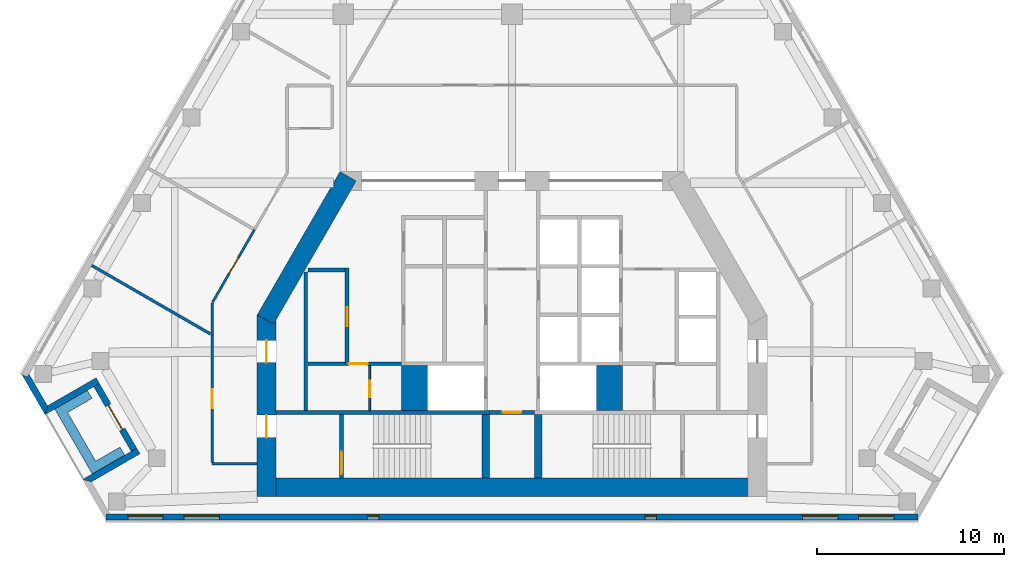
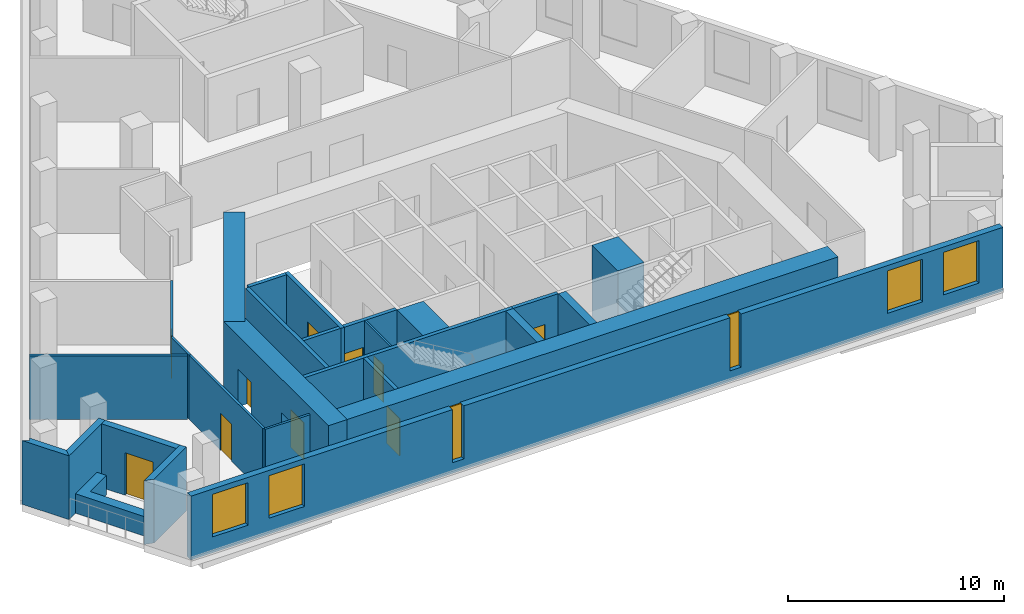
# One storey, part 2 of 7: 27 walls, 10 doors, 6 windows, 16 openings.
"""IFC4 building model written with IfcOpenShell, lengths in metres."""

from ifc_helpers import new_model, si_unit, direction, frame, frame_2d, origin, place, context, subcontext, project, spatial, polyline, rectangle, outline, extrude, material, layer, layer_set, type_object, element, fill, save


model = new_model("IFC4")

# Units and contexts
model_context = context("Model", 3, precision=1e-05, world=origin(), true_north=direction((0.0, 1.0)))
body_context = subcontext(model_context, "Body", "Model", "MODEL_VIEW")
ifc_project = project(units=[si_unit("LENGTHUNIT", "METRE"), si_unit("AREAUNIT", "SQUARE_METRE"), si_unit("VOLUMEUNIT", "CUBIC_METRE"), si_unit("PLANEANGLEUNIT", "RADIAN"), si_unit("MASSUNIT", "GRAM", prefix="KILO")], contexts=[model_context])

# Site, building, storey
site_placement = place(None, origin())
site = spatial("IfcSite", under=ifc_project, at=site_placement, CompositionType="ELEMENT")
building_placement = place(site_placement, origin())
building = spatial("IfcBuilding", under=site, at=building_placement, Name="Fogline Exchange Tower", CompositionType="ELEMENT")
storey_placement = place(building_placement, frame((0.0, 0.0, 255.5)))
storey = spatial("IfcBuildingStorey", under=building, at=storey_placement, Name="L58", CompositionType="ELEMENT", Elevation=255.5)

# Wall, opening, door
ifc_material_1 = material(Name="Blockwork partition", Category="masonry")
ifc_layer_1 = layer(ifc_material_1, 0.10009765625)
ifc_layer_set_1 = layer_set([ifc_layer_1], Name="CW10")
wall_type_1 = type_object("IfcWallType", Name="CW10", PredefinedType="PARTITIONING", material=ifc_layer_set_1)
wall_1_placement = place(storey_placement, frame((-7.60009765625, 5.85009765625, 0.0), z_axis=(0.0, 0.0, 1.0), x_axis=(0.0, 1.0, 0.0)))
wall_1 = element("IfcWall", 1, at=wall_1_placement, inside=storey, type_object=wall_type_1, Name="WC partition", PredefinedType="PARTITIONING", context=body_context, shape_type="SweptSolid", body=[
    extrude(rectangle(XDim=2.39990234375, YDim=0.10009765625, at=frame_2d((1.199951171875, 0.0))), origin(), (0.0, 0.0, 1.0), 3.60009765625),
])
opening_1_placement = place(wall_1_placement, frame((0.699951171875, 0.0, 0.0)))
opening_1 = element("IfcOpeningElement", 2, at=opening_1_placement, cuts=wall_1, Name="Opening T18-C009", PredefinedType="OPENING", context=body_context, shape_type="SweptSolid", body=[
    extrude(rectangle(XDim=0.89990234375, YDim=2.10009765625, at=frame_2d((0.449951171875, 1.050048828125))), frame((0.0, 0.06005859375, 0.0), z_axis=(0.0, -1.0, 0.0), x_axis=(1.0, 0.0, 0.0)), (0.0, 0.0, 1.0), 0.1201171875),
])
ifc_material_2 = material(Name="Steel and timber fire door", Category="steel")
door_type_1 = type_object("IfcDoorType", Name="D-CS1", OperationType="SINGLE_SWING_RIGHT", PredefinedType="DOOR", material=ifc_material_2)
door_1_placement = place(opening_1_placement, frame((0.89990234375, 0.0, 0.0), z_axis=(0.0, 0.0, 1.0), x_axis=(-1.0, 0.0, 0.0)))
door_1 = element("IfcDoor", 3, at=door_1_placement, inside=storey, type_object=door_type_1, Name="Door to Cleaner's Store", OperationType="SINGLE_SWING_RIGHT", OverallHeight=2.10009765625, OverallWidth=0.89990234375, PredefinedType="DOOR", context=body_context, shape_type="SweptSolid", body=[
    extrude(rectangle(XDim=0.89990234375, YDim=2.10009765625, at=frame_2d((0.449951171875, 1.050048828125))), frame((0.0, 0.02490234375, 0.0), z_axis=(0.0, -1.0, 0.0), x_axis=(1.0, 0.0, 0.0)), (0.0, 0.0, 1.0), 0.050048828125),
])
fill(opening_1, door_1)

# Walls
ifc_material_3 = material(Name="Concrete C60", Category="concrete")
ifc_layer_2 = layer(ifc_material_3, 1.39990234375)
ifc_layer_set_2 = layer_set([ifc_layer_2], Name="CW140")
wall_type_2 = type_object("IfcWallType", Name="CW140", PredefinedType="SOLIDWALL", material=ifc_layer_set_2)
for number, where, z_axis, x_axis, name in (
    (4, (-5.199951171875, 5.85009765625, -0.39990234375), (0.0, 0.0, 1.0), (0.0, 1.0, 0.0), "Lift shaft block wall"),
    (5, (5.199951171875, 5.85009765625, -0.39990234375), (0.0, 0.0, 1.0), (0.0, 1.0, 0.0), "Lift shaft block wall"),
):
    element("IfcWall", number, at=place(storey_placement, frame(where, z_axis=z_axis, x_axis=x_axis)), inside=storey, type_object=wall_type_2, Name=name, PredefinedType="SOLIDWALL", context=body_context, shape_type="SweptSolid", body=[
        extrude(rectangle(XDim=2.39990234375, YDim=1.39990234375, at=frame_2d((1.199951171875, 0.0))), origin(), (0.0, 0.0, 1.0), 4.0),
    ])
ifc_material_4 = material(Name="Concrete C40", Category="concrete")
ifc_layer_3 = layer(ifc_material_4, 0.199951171875)
ifc_layer_set_3 = layer_set([ifc_layer_3], Name="CW20")
wall_type_3 = type_object("IfcWallType", Name="CW20", PredefinedType="SOLIDWALL", material=ifc_layer_set_3)
wall_2_placement = place(storey_placement, frame((-11.0, 5.85009765625, 0.0), z_axis=(0.0, 0.0, 1.0), x_axis=(0.0, 1.0, 0.0)))
element("IfcWall", 6, at=wall_2_placement, inside=storey, type_object=wall_type_3, Name="Service room wall", PredefinedType="SOLIDWALL", context=body_context, shape_type="SweptSolid", body=[
    extrude(rectangle(XDim=7.39990234375, YDim=0.199951171875, at=frame_2d((3.699951171875, 0.0))), origin(), (0.0, 0.0, 1.0), 3.60009765625),
])

# Wall, opening, door
wall_3_placement = place(storey_placement, frame((-8.699951171875, 8.35009765625, 0.0), z_axis=(0.0, 0.0, 1.0), x_axis=(1.0, 0.0, 0.0)))
wall_3 = element("IfcWall", 7, at=wall_3_placement, inside=storey, type_object=wall_type_3, Name="WC wall", PredefinedType="SOLIDWALL", context=body_context, shape_type="SweptSolid", body=[
    extrude(rectangle(XDim=2.800048828125, YDim=0.199951171875, at=frame_2d((1.39990234375, 0.0))), origin(), (0.0, 0.0, 1.0), 3.60009765625),
])
opening_2_placement = place(wall_3_placement, origin())
opening_2 = element("IfcOpeningElement", 8, at=opening_2_placement, cuts=wall_3, Name="Opening T18-C008", PredefinedType="OPENING", context=body_context, shape_type="SweptSolid", body=[
    extrude(rectangle(XDim=1.0, YDim=2.10009765625, at=frame_2d((0.5, 1.050048828125))), frame((0.0, 0.10986328125, 0.0), z_axis=(0.0, -1.0, 0.0), x_axis=(1.0, 0.0, 0.0)), (0.0, 0.0, 1.0), 0.219970703125),
])
door_type_2 = type_object("IfcDoorType", Name="D-WC1", OperationType="SINGLE_SWING_LEFT", PredefinedType="DOOR", material=ifc_material_2)
door_2_placement = place(opening_2_placement, frame((1.0, 0.0, 0.0), z_axis=(0.0, 0.0, 1.0), x_axis=(-1.0, 0.0, 0.0)))
door_2 = element("IfcDoor", 9, at=door_2_placement, inside=storey, type_object=door_type_2, Name="Door to Men's WC", OperationType="SINGLE_SWING_LEFT", OverallHeight=2.10009765625, OverallWidth=1.0, PredefinedType="DOOR", context=body_context, shape_type="SweptSolid", body=[
    extrude(rectangle(XDim=1.0, YDim=2.10009765625, at=frame_2d((0.5, 1.050048828125))), frame((0.0, 0.02490234375, 0.0), z_axis=(0.0, -1.0, 0.0), x_axis=(1.0, 0.0, 0.0)), (0.0, 0.0, 1.0), 0.050048828125),
])
fill(opening_2, door_2)

# Wall
ifc_layer_4 = layer(ifc_material_4, 0.199951171875)
ifc_layer_set_4 = layer_set([ifc_layer_4], Name="CW20R")
wall_type_4 = type_object("IfcWallType", Name="CW20R", PredefinedType="SOLIDWALL", material=ifc_layer_set_4)
wall_4_placement = place(storey_placement, frame((-12.60009765625, 5.75, -0.39990234375), z_axis=(0.0, 0.0, 1.0), x_axis=(1.0, 0.0, 0.0)))
element("IfcWall", 10, at=wall_4_placement, inside=storey, type_object=wall_type_4, Name="Stair enclosure wall", PredefinedType="SOLIDWALL", context=body_context, shape_type="SweptSolid", body=[
    extrude(rectangle(XDim=11.400146484375, YDim=0.199951171875, at=frame_2d((5.7001953125, 0.0))), origin(), (0.0, 0.0, 1.0), 4.0),
])

# Wall, opening, door
wall_5_placement = place(storey_placement, frame((-1.199951171875, 5.75, -0.39990234375), z_axis=(0.0, 0.0, 1.0), x_axis=(1.0, 0.0, 0.0)))
wall_5 = element("IfcWall", 11, at=wall_5_placement, inside=storey, type_object=wall_type_4, Name="Stair enclosure wall", PredefinedType="SOLIDWALL", context=body_context, shape_type="SweptSolid", body=[
    extrude(rectangle(XDim=2.39990234375, YDim=0.199951171875, at=frame_2d((1.199951171875, 0.0))), origin(), (0.0, 0.0, 1.0), 4.0),
])
opening_3_placement = place(wall_5_placement, frame((0.699951171875, 0.0, 0.39990234375)))
opening_3 = element("IfcOpeningElement", 12, at=opening_3_placement, cuts=wall_5, Name="Opening T18-C007", PredefinedType="OPENING", context=body_context, shape_type="SweptSolid", body=[
    extrude(rectangle(XDim=1.0, YDim=2.10009765625, at=frame_2d((0.5, 1.050048828125))), frame((0.0, 0.10986328125, 0.0), z_axis=(0.0, -1.0, 0.0), x_axis=(1.0, 0.0, 0.0)), (0.0, 0.0, 1.0), 0.219970703125),
])
door_type_3 = type_object("IfcDoorType", Name="D-RM1", OperationType="SINGLE_SWING_LEFT", PredefinedType="DOOR", material=ifc_material_2)
door_3_placement = place(opening_3_placement, frame((1.0, 0.0, 0.0), z_axis=(0.0, 0.0, 1.0), x_axis=(-1.0, 0.0, 0.0)))
door_3 = element("IfcDoor", 13, at=door_3_placement, inside=storey, type_object=door_type_3, Name="Door to Cable Store", OperationType="SINGLE_SWING_RIGHT", OverallHeight=2.10009765625, OverallWidth=1.0, PredefinedType="DOOR", context=body_context, shape_type="SweptSolid", body=[
    extrude(rectangle(XDim=1.0, YDim=2.10009765625, at=frame_2d((0.5, 1.050048828125))), frame((0.0, 0.02490234375, 0.0), z_axis=(0.0, -1.0, 0.0), x_axis=(1.0, 0.0, 0.0)), (0.0, 0.0, 1.0), 0.050048828125),
])
fill(opening_3, door_3)

wall_6_placement = place(storey_placement, frame((-9.10009765625, 2.25, -0.39990234375), z_axis=(0.0, 0.0, 1.0), x_axis=(0.0, 1.0, 0.0)))
wall_6 = element("IfcWall", 14, at=wall_6_placement, inside=storey, type_object=wall_type_4, Name="Stair enclosure wall", PredefinedType="SOLIDWALL", context=body_context, shape_type="SweptSolid", body=[
    extrude(rectangle(XDim=3.39990234375, YDim=0.199951171875, at=frame_2d((1.699951171875, 0.0))), origin(), (0.0, 0.0, 1.0), 4.0),
])
opening_4_placement = place(wall_6_placement, frame((0.199951171875, 0.0, 0.39990234375)))
opening_4 = element("IfcOpeningElement", 15, at=opening_4_placement, cuts=wall_6, Name="Opening T18-C011", PredefinedType="OPENING", context=body_context, shape_type="SweptSolid", body=[
    extrude(rectangle(XDim=1.199951171875, YDim=2.10009765625, at=frame_2d((0.60009765625, 1.050048828125))), frame((0.0, 0.10986328125, 0.0), z_axis=(0.0, -1.0, 0.0), x_axis=(1.0, 0.0, 0.0)), (0.0, 0.0, 1.0), 0.219970703125),
])
door_type_4 = type_object("IfcDoorType", Name="D-ST1", OperationType="SINGLE_SWING_LEFT", PredefinedType="DOOR", material=ifc_material_2)
door_4_placement = place(opening_4_placement, frame((1.199951171875, 0.0, 0.0), z_axis=(0.0, 0.0, 1.0), x_axis=(-1.0, 0.0, 0.0)))
door_4 = element("IfcDoor", 16, at=door_4_placement, inside=storey, type_object=door_type_4, Name="Stair door ST1", OperationType="SINGLE_SWING_RIGHT", OverallHeight=2.10009765625, OverallWidth=1.199951171875, PredefinedType="DOOR", context=body_context, shape_type="SweptSolid", body=[
    extrude(rectangle(XDim=1.199951171875, YDim=2.10009765625, at=frame_2d((0.60009765625, 1.050048828125))), frame((0.0, 0.02490234375, 0.0), z_axis=(0.0, -1.0, 0.0), x_axis=(1.0, 0.0, 0.0)), (0.0, 0.0, 1.0), 0.050048828125),
])
fill(opening_4, door_4)

ifc_layer_5 = layer(ifc_material_4, 0.199951171875)
ifc_layer_set_5 = layer_set([ifc_layer_5], Name="CW20S")
wall_type_5 = type_object("IfcWallType", Name="CW20S", PredefinedType="SOLIDWALL", material=ifc_layer_set_5)
wall_7_placement = place(storey_placement, frame((-8.800048828125, 8.25, -0.39990234375), z_axis=(0.0, 0.0, 1.0), x_axis=(0.0, 1.0, 0.0)))
wall_7 = element("IfcWall", 17, at=wall_7_placement, inside=storey, type_object=wall_type_5, Name="Lift shaft wall", PredefinedType="SOLIDWALL", context=body_context, shape_type="SweptSolid", body=[
    extrude(rectangle(XDim=5.199951171875, YDim=0.199951171875, at=frame_2d((2.60009765625, 0.0))), origin(), (0.0, 0.0, 1.0), 4.0),
])
opening_5_placement = place(wall_7_placement, frame((2.10009765625, 0.0, 0.39990234375)))
opening_5 = element("IfcOpeningElement", 18, at=opening_5_placement, cuts=wall_7, Name="Opening T18-C001", PredefinedType="OPENING", context=body_context, shape_type="SweptSolid", body=[
    extrude(rectangle(XDim=1.0, YDim=2.10009765625, at=frame_2d((0.5, 1.050048828125))), frame((0.0, 0.10986328125, 0.0), z_axis=(0.0, -1.0, 0.0), x_axis=(1.0, 0.0, 0.0)), (0.0, 0.0, 1.0), 0.219970703125),
])
door_5_placement = place(opening_5_placement, origin())
door_5 = element("IfcDoor", 19, at=door_5_placement, inside=storey, type_object=door_type_3, Name="Door to Storage Room", OperationType="SINGLE_SWING_RIGHT", OverallHeight=2.10009765625, OverallWidth=1.0, PredefinedType="DOOR", context=body_context, shape_type="SweptSolid", body=[
    extrude(rectangle(XDim=1.0, YDim=2.10009765625, at=frame_2d((0.5, 1.050048828125))), frame((0.0, 0.02490234375, 0.0), z_axis=(0.0, -1.0, 0.0), x_axis=(1.0, 0.0, 0.0)), (0.0, 0.0, 1.0), 0.050048828125),
])
fill(opening_5, door_5)

# Walls
for number, where, z_axis, x_axis, name in (
    (20, (-10.89990234375, 8.35009765625, -0.39990234375), (0.0, 0.0, 1.0), (1.0, 0.0, 0.0), "Lift shaft wall"),
    (21, (-10.89990234375, 13.35009765625, -0.39990234375), (0.0, 0.0, 1.0), (1.0, 0.0, 0.0), "Lift shaft wall"),
):
    element("IfcWall", number, at=place(storey_placement, frame(where, z_axis=z_axis, x_axis=x_axis)), inside=storey, type_object=wall_type_5, Name=name, PredefinedType="SOLIDWALL", context=body_context, shape_type="SweptSolid", body=[
        extrude(rectangle(XDim=2.0, YDim=0.199951171875, at=frame_2d((1.0, 0.0))), origin(), (0.0, 0.0, 1.0), 4.0),
    ])
ifc_layer_6 = layer(ifc_material_4, 0.39990234375)
ifc_layer_set_6 = layer_set([ifc_layer_6], Name="CW40R")
wall_type_6 = type_object("IfcWallType", Name="CW40R", PredefinedType="SOLIDWALL", material=ifc_layer_set_6)
for number, where, z_axis, x_axis, name in (
    (22, (-1.39990234375, 2.25, -0.39990234375), (0.0, 0.0, 1.0), (0.0, 1.0, 0.0), "Stair and lift shaft wall"),
    (23, (1.39990234375, 2.25, -0.39990234375), (0.0, 0.0, 1.0), (0.0, 1.0, 0.0), "Stair and lift shaft wall"),
):
    element("IfcWall", number, at=place(storey_placement, frame(where, z_axis=z_axis, x_axis=x_axis)), inside=storey, type_object=wall_type_6, Name=name, PredefinedType="SOLIDWALL", context=body_context, shape_type="SweptSolid", body=[
        extrude(rectangle(XDim=3.39990234375, YDim=0.39990234375, at=frame_2d((1.699951171875, 0.0))), origin(), (0.0, 0.0, 1.0), 4.0),
    ])
ifc_material_5 = material(Name="Brick masonry", Category="masonry")
ifc_layer_7 = layer(ifc_material_5, 0.340087890625)
ifc_layer_set_7 = layer_set([ifc_layer_7], Name="FW1")
wall_type_7 = type_object("IfcWallType", Name="FW1", PredefinedType="SOLIDWALL", material=ifc_layer_set_7)
wall_8_placement = place(storey_placement, origin())
element("IfcWall", 24, at=wall_8_placement, inside=storey, type_object=wall_type_7, Name="Brick wall L58 SW-c1", PredefinedType="SOLIDWALL", context=body_context, shape_type="SweptSolid", body=[
    extrude(outline(polyline([(-24.91943359375, 5.6279296875), (-26.17041015625, 7.794921875), (-26.169921875, 7.79541015625), (-25.875244140625, 7.625), (-25.77685546875, 7.79541015625), (-24.794189453125, 6.09375), (-24.9189453125, 5.6279296875), (-24.91943359375, 5.6279296875)])), origin(), (0.0, 0.0, 1.0), 3.60009765625),
])
wall_9_placement = place(storey_placement, origin())
element("IfcWall", 25, at=wall_9_placement, inside=storey, type_object=wall_type_7, Name="Brick wall L58 SW-s1", PredefinedType="SOLIDWALL", context=body_context, shape_type="SweptSolid", body=[
    extrude(outline(polyline([(-22.196533203125, 7.594482421875), (-22.026123046875, 7.298828125), (-22.321044921875, 7.128662109375), (-24.919921875, 5.628173828125), (-24.920166015625, 5.62841796875), (-24.79541015625, 6.093994140625), (-22.196533203125, 7.594482421875)])), origin(), (0.0, 0.0, 1.0), 3.60009765625),
])

# Wall, opening, door
wall_10_placement = place(storey_placement, frame((-22.174072265625, 7.214111328125, 0.0), z_axis=(0.0, 0.0, 1.0), x_axis=(0.49999894854, -0.866026010844, 0.0)))
wall_10 = element("IfcWall", 26, at=wall_10_placement, inside=storey, type_object=wall_type_7, Name="Brick wall L58 SW-bk", PredefinedType="SOLIDWALL", context=body_context, shape_type="SweptSolid", body=[
    extrude(rectangle(XDim=4.0, YDim=0.340087890625, at=frame_2d((2.0, 0.0))), origin(), (0.0, 0.0, 1.0), 3.60009765625),
])
opening_6_placement = place(wall_10_placement, frame((1.25, 0.0, 0.0)))
opening_6 = element("IfcOpeningElement", 27, at=opening_6_placement, cuts=wall_10, Name="Opening T18-E021", PredefinedType="OPENING", context=body_context, shape_type="SweptSolid", body=[
    extrude(rectangle(XDim=1.5, YDim=2.39990234375, at=frame_2d((0.75, 1.199951171875))), frame((0.0, 0.18017578125, 0.0), z_axis=(0.0, -1.0, 0.0), x_axis=(1.0, 0.0, 0.0)), (0.0, 0.0, 1.0), 0.360107421875),
])
ifc_material_6 = material(Name="Aluminium and glass", Category="aluminium")
door_type_5 = type_object("IfcDoorType", Name="ED4", OperationType="SINGLE_SWING_LEFT", PredefinedType="DOOR", material=ifc_material_6)
door_6_placement = place(opening_6_placement, frame((1.5, 0.0, 0.0), z_axis=(0.0, 0.0, 1.0), x_axis=(-1.0, 0.0, 0.0)))
door_6 = element("IfcDoor", 28, at=door_6_placement, inside=storey, type_object=door_type_5, Name="Balcony door L58 SW", OperationType="DOUBLE_DOOR_SINGLE_SWING", OverallHeight=2.39990234375, OverallWidth=1.5, PredefinedType="DOOR", context=body_context, shape_type="SweptSolid", body=[
    extrude(rectangle(XDim=1.5, YDim=2.39990234375, at=frame_2d((0.75, 1.199951171875))), frame((0.0, 0.02490234375, 0.0), z_axis=(0.0, -1.0, 0.0), x_axis=(1.0, 0.0, 0.0)), (0.0, 0.0, 1.0), 0.050048828125),
])
fill(opening_6, door_6)

# Wall
wall_11_placement = place(storey_placement, origin())
element("IfcWall", 29, at=wall_11_placement, inside=storey, type_object=wall_type_7, Name="Brick wall L58 SW-s2", PredefinedType="SOLIDWALL", context=body_context, shape_type="SweptSolid", body=[
    extrude(outline(polyline([(-22.920654296875, 2.1650390625), (-20.321533203125, 3.66552734375), (-20.026611328125, 3.8359375), (-19.85595703125, 3.540283203125), (-22.454833984375, 2.0400390625), (-22.92041015625, 2.164794921875), (-22.920654296875, 2.1650390625)])), origin(), (0.0, 0.0, 1.0), 3.60009765625),
])

# Wall, openings, windows
wall_12_placement = place(storey_placement, frame((-21.66943359375, 0.169921875, 0.0), z_axis=(0.0, 0.0, 1.0), x_axis=(1.0, 0.0, 0.0)))
wall_12 = element("IfcWall", 30, at=wall_12_placement, inside=storey, type_object=wall_type_7, Name="Brick wall L58 S", PredefinedType="SOLIDWALL", context=body_context, shape_type="SweptSolid", body=[
    extrude(rectangle(XDim=43.3388671875, YDim=0.340087890625, at=frame_2d((21.66943359375, 0.0))), origin(), (0.0, 0.0, 1.0), 3.60009765625),
])
opening_7_placement = place(wall_12_placement, frame((1.16943359375, 0.0, 0.89990234375)))
opening_7 = element("IfcOpeningElement", 31, at=opening_7_placement, cuts=wall_12, Name="Opening W1", PredefinedType="OPENING", context=body_context, shape_type="SweptSolid", body=[
    extrude(rectangle(XDim=1.885009765625, YDim=2.39990234375, at=frame_2d((0.9423828125, 1.199951171875))), frame((0.0, 0.18017578125, 0.0), z_axis=(0.0, -1.0, 0.0), x_axis=(1.0, 0.0, 0.0)), (0.0, 0.0, 1.0), 0.360107421875),
])
opening_8_placement = place(wall_12_placement, frame((4.16943359375, 0.0, 0.89990234375)))
opening_8 = element("IfcOpeningElement", 32, at=opening_8_placement, cuts=wall_12, Name="Opening W1", PredefinedType="OPENING", context=body_context, shape_type="SweptSolid", body=[
    extrude(rectangle(XDim=1.885009765625, YDim=2.39990234375, at=frame_2d((0.9423828125, 1.199951171875))), frame((0.0, 0.18017578125, 0.0), z_axis=(0.0, -1.0, 0.0), x_axis=(1.0, 0.0, 0.0)), (0.0, 0.0, 1.0), 0.360107421875),
])
opening_9_placement = place(wall_12_placement, frame((37.16943359375, 0.0, 0.89990234375)))
opening_9 = element("IfcOpeningElement", 33, at=opening_9_placement, cuts=wall_12, Name="Opening W1", PredefinedType="OPENING", context=body_context, shape_type="SweptSolid", body=[
    extrude(rectangle(XDim=1.885009765625, YDim=2.39990234375, at=frame_2d((0.9423828125, 1.199951171875))), frame((0.0, 0.18017578125, 0.0), z_axis=(0.0, -1.0, 0.0), x_axis=(1.0, 0.0, 0.0)), (0.0, 0.0, 1.0), 0.360107421875),
])
opening_10_placement = place(wall_12_placement, frame((40.16943359375, 0.0, 0.89990234375)))
opening_10 = element("IfcOpeningElement", 34, at=opening_10_placement, cuts=wall_12, Name="Opening W1", PredefinedType="OPENING", context=body_context, shape_type="SweptSolid", body=[
    extrude(rectangle(XDim=1.885009765625, YDim=2.39990234375, at=frame_2d((0.9423828125, 1.199951171875))), frame((0.0, 0.18017578125, 0.0), z_axis=(0.0, -1.0, 0.0), x_axis=(1.0, 0.0, 0.0)), (0.0, 0.0, 1.0), 0.360107421875),
])
opening_11_placement = place(wall_12_placement, frame((13.96923828125, 0.0, 0.60009765625)))
opening_11 = element("IfcOpeningElement", 35, at=opening_11_placement, cuts=wall_12, Name="Opening W5", PredefinedType="OPENING", context=body_context, shape_type="SweptSolid", body=[
    extrude(rectangle(XDim=0.60009765625, YDim=3.0, at=frame_2d((0.300048828125, 1.5))), frame((0.0, 0.18017578125, 0.0), z_axis=(0.0, -1.0, 0.0), x_axis=(1.0, 0.0, 0.0)), (0.0, 0.0, 1.0), 0.360107421875),
])
opening_12_placement = place(wall_12_placement, frame((28.769287109375, 0.0, 0.60009765625)))
opening_12 = element("IfcOpeningElement", 36, at=opening_12_placement, cuts=wall_12, Name="Opening W5", PredefinedType="OPENING", context=body_context, shape_type="SweptSolid", body=[
    extrude(rectangle(XDim=0.60009765625, YDim=3.0, at=frame_2d((0.300048828125, 1.5))), frame((0.0, 0.18017578125, 0.0), z_axis=(0.0, -1.0, 0.0), x_axis=(1.0, 0.0, 0.0)), (0.0, 0.0, 1.0), 0.360107421875),
])
window_type_1 = type_object("IfcWindowType", Name="W1", PartitioningType="SINGLE_PANEL", PredefinedType="WINDOW", material=ifc_material_6)
window_1_placement = place(opening_7_placement, origin())
window_1 = element("IfcWindow", 37, at=window_1_placement, inside=storey, type_object=window_type_1, Name="W1 W1", OverallHeight=2.39990234375, OverallWidth=1.885009765625, PartitioningType="SINGLE_PANEL", PredefinedType="WINDOW", context=body_context, shape_type="SweptSolid", body=[
    extrude(rectangle(XDim=1.885009765625, YDim=2.39990234375, at=frame_2d((0.9423828125, 1.199951171875))), frame((0.0, 0.110107421875, 0.0), z_axis=(0.0, -1.0, 0.0), x_axis=(1.0, 0.0, 0.0)), (0.0, 0.0, 1.0), 0.06005859375),
])
fill(opening_7, window_1)
window_2_placement = place(opening_8_placement, origin())
window_2 = element("IfcWindow", 38, at=window_2_placement, inside=storey, type_object=window_type_1, Name="W1 W1", OverallHeight=2.39990234375, OverallWidth=1.885009765625, PartitioningType="SINGLE_PANEL", PredefinedType="WINDOW", context=body_context, shape_type="SweptSolid", body=[
    extrude(rectangle(XDim=1.885009765625, YDim=2.39990234375, at=frame_2d((0.9423828125, 1.199951171875))), frame((0.0, 0.110107421875, 0.0), z_axis=(0.0, -1.0, 0.0), x_axis=(1.0, 0.0, 0.0)), (0.0, 0.0, 1.0), 0.06005859375),
])
fill(opening_8, window_2)
window_3_placement = place(opening_9_placement, origin())
window_3 = element("IfcWindow", 39, at=window_3_placement, inside=storey, type_object=window_type_1, Name="W1 W1", OverallHeight=2.39990234375, OverallWidth=1.885009765625, PartitioningType="SINGLE_PANEL", PredefinedType="WINDOW", context=body_context, shape_type="SweptSolid", body=[
    extrude(rectangle(XDim=1.885009765625, YDim=2.39990234375, at=frame_2d((0.9423828125, 1.199951171875))), frame((0.0, 0.110107421875, 0.0), z_axis=(0.0, -1.0, 0.0), x_axis=(1.0, 0.0, 0.0)), (0.0, 0.0, 1.0), 0.06005859375),
])
fill(opening_9, window_3)
window_4_placement = place(opening_10_placement, origin())
window_4 = element("IfcWindow", 40, at=window_4_placement, inside=storey, type_object=window_type_1, Name="W1 W1", OverallHeight=2.39990234375, OverallWidth=1.885009765625, PartitioningType="SINGLE_PANEL", PredefinedType="WINDOW", context=body_context, shape_type="SweptSolid", body=[
    extrude(rectangle(XDim=1.885009765625, YDim=2.39990234375, at=frame_2d((0.9423828125, 1.199951171875))), frame((0.0, 0.110107421875, 0.0), z_axis=(0.0, -1.0, 0.0), x_axis=(1.0, 0.0, 0.0)), (0.0, 0.0, 1.0), 0.06005859375),
])
fill(opening_10, window_4)
window_type_2 = type_object("IfcWindowType", Name="W5", PartitioningType="SINGLE_PANEL", PredefinedType="WINDOW", material=ifc_material_6)
window_5_placement = place(opening_11_placement, origin())
window_5 = element("IfcWindow", 41, at=window_5_placement, inside=storey, type_object=window_type_2, Name="W5 W5", OverallHeight=3.0, OverallWidth=0.60009765625, PartitioningType="SINGLE_PANEL", PredefinedType="WINDOW", context=body_context, shape_type="SweptSolid", body=[
    extrude(rectangle(XDim=0.60009765625, YDim=3.0, at=frame_2d((0.300048828125, 1.5))), frame((0.0, 0.110107421875, 0.0), z_axis=(0.0, -1.0, 0.0), x_axis=(1.0, 0.0, 0.0)), (0.0, 0.0, 1.0), 0.06005859375),
])
fill(opening_11, window_5)
window_6_placement = place(opening_12_placement, origin())
window_6 = element("IfcWindow", 42, at=window_6_placement, inside=storey, type_object=window_type_2, Name="W5 W5", OverallHeight=3.0, OverallWidth=0.60009765625, PartitioningType="SINGLE_PANEL", PredefinedType="WINDOW", context=body_context, shape_type="SweptSolid", body=[
    extrude(rectangle(XDim=0.60009765625, YDim=3.0, at=frame_2d((0.300048828125, 1.5))), frame((0.0, 0.110107421875, 0.0), z_axis=(0.0, -1.0, 0.0), x_axis=(1.0, 0.0, 0.0)), (0.0, 0.0, 1.0), 0.06005859375),
])
fill(opening_12, window_6)

# Walls
ifc_material_7 = material(Name="Concrete C30", Category="concrete")
ifc_layer_8 = layer(ifc_material_7, 0.199951171875)
ifc_layer_set_8 = layer_set([ifc_layer_8], Name="PL1")
wall_type_8 = type_object("IfcWallType", Name="PL1", PredefinedType="USERDEFINED", material=ifc_layer_set_8)
wall_13_placement = place(storey_placement, origin())
element("IfcWall", 43, at=wall_13_placement, inside=storey, type_object=wall_type_8, Name="PLANTER balcony L58 SW", ObjectType="PLANTER", PredefinedType="USERDEFINED", context=body_context, shape_type="SweptSolid", body=[
    extrude(outline(polyline([(-20.917724609375, 3.898193359375), (-22.216796875, 3.148193359375), (-23.716796875, 5.74609375), (-22.417724609375, 6.49609375), (-22.667724609375, 6.92919921875), (-24.399658203125, 5.92919921875), (-24.149658203125, 5.49609375), (-22.399658203125, 2.465087890625), (-21.966796875, 2.715087890625), (-21.966796875, 2.715087890625), (-20.667724609375, 3.465087890625), (-20.917724609375, 3.898193359375)])), origin(), (0.0, 0.0, 1.0), 1.10009765625),
])
ifc_material_8 = material(Name="Plasterboard corridor partition with mineral wool, 2 layers each side")
ifc_layer_9 = layer(ifc_material_8, 0.125)
ifc_layer_set_9 = layer_set([ifc_layer_9], Name="PW2")
wall_type_9 = type_object("IfcWallType", Name="PW2", PredefinedType="PARTITIONING", material=ifc_layer_set_9)
wall_14_placement = place(storey_placement, frame((-16.0, 9.88134765625, 0.0), z_axis=(0.0, 0.0, 1.0), x_axis=(0.0, 1.0, 0.0)))
element("IfcWall", 44, at=wall_14_placement, inside=storey, type_object=wall_type_9, Name="wall-L58-W013", PredefinedType="PARTITIONING", context=body_context, shape_type="SweptSolid", body=[
    extrude(rectangle(XDim=1.70703125, YDim=0.125, at=frame_2d((0.853515625, 0.0))), origin(), (0.0, 0.0, 1.0), 3.60009765625),
])

# Wall, opening, door
wall_15_placement = place(storey_placement, frame((-15.984619140625, 11.615234375, 0.0), z_axis=(0.0, 0.0, 1.0), x_axis=(0.499992261645, 0.86602987148, 0.0)))
wall_15 = element("IfcWall", 45, at=wall_15_placement, inside=storey, type_object=wall_type_9, Name="wall-L58-W014", PredefinedType="PARTITIONING", context=body_context, shape_type="SweptSolid", body=[
    extrude(rectangle(XDim=4.49072265625, YDim=0.125, at=frame_2d((2.245361328125, 0.0))), origin(), (0.0, 0.0, 1.0), 3.60009765625),
])
opening_13_placement = place(wall_15_placement, frame((1.745361328125, 0.0, 0.0)))
opening_13 = element("IfcOpeningElement", 46, at=opening_13_placement, cuts=wall_15, Name="Opening T18-D006", PredefinedType="OPENING", context=body_context, shape_type="SweptSolid", body=[
    extrude(rectangle(XDim=1.0, YDim=2.10009765625, at=frame_2d((0.5, 1.050048828125))), frame((0.0, 0.072509765625, 0.0), z_axis=(0.0, -1.0, 0.0), x_axis=(1.0, 0.0, 0.0)), (0.0, 0.0, 1.0), 0.14501953125),
])
ifc_material_9 = material(Name="Fire-rated timber door leaf with steel frame", Category="steel")
door_type_6 = type_object("IfcDoorType", Name="D3", OperationType="SINGLE_SWING_LEFT", PredefinedType="DOOR", material=ifc_material_9)
door_7_placement = place(opening_13_placement, origin())
door_7 = element("IfcDoor", 47, at=door_7_placement, inside=storey, type_object=door_type_6, Name="door-L58-D006", OperationType="SINGLE_SWING_LEFT", OverallHeight=2.10009765625, OverallWidth=1.0, PredefinedType="DOOR", context=body_context, shape_type="SweptSolid", body=[
    extrude(rectangle(XDim=1.0, YDim=2.10009765625, at=frame_2d((0.5, 1.050048828125))), frame((0.0, 0.02490234375, 0.0), z_axis=(0.0, -1.0, 0.0), x_axis=(1.0, 0.0, 0.0)), (0.0, 0.0, 1.0), 0.050048828125),
])
fill(opening_13, door_7)

# Wall
wall_16_placement = place(storey_placement, frame((-13.60009765625, 3.0, 0.0), z_axis=(0.0, 0.0, 1.0), x_axis=(-1.0, 0.0, 0.0)))
element("IfcWall", 48, at=wall_16_placement, inside=storey, type_object=wall_type_9, Name="wall-L58-W015", PredefinedType="PARTITIONING", context=body_context, shape_type="SweptSolid", body=[
    extrude(rectangle(XDim=2.39990234375, YDim=0.125, at=frame_2d((1.199951171875, 0.0))), origin(), (0.0, 0.0, 1.0), 3.60009765625),
])

# Wall, opening, door
wall_17_placement = place(storey_placement, frame((-16.0, 3.0625, 0.0), z_axis=(0.0, 0.0, 1.0), x_axis=(0.0, 1.0, 0.0)))
wall_17 = element("IfcWall", 49, at=wall_17_placement, inside=storey, type_object=wall_type_9, Name="wall-L58-W016", PredefinedType="PARTITIONING", context=body_context, shape_type="SweptSolid", body=[
    extrude(rectangle(XDim=6.81884765625, YDim=0.125, at=frame_2d((3.409423828125, 0.0))), origin(), (0.0, 0.0, 1.0), 3.60009765625),
])
opening_14_placement = place(wall_17_placement, frame((2.909423828125, 0.0, 0.0)))
opening_14 = element("IfcOpeningElement", 50, at=opening_14_placement, cuts=wall_17, Name="Opening T18-D007", PredefinedType="OPENING", context=body_context, shape_type="SweptSolid", body=[
    extrude(rectangle(XDim=1.0, YDim=2.10009765625, at=frame_2d((0.5, 1.050048828125))), frame((0.0, 0.072509765625, 0.0), z_axis=(0.0, -1.0, 0.0), x_axis=(1.0, 0.0, 0.0)), (0.0, 0.0, 1.0), 0.14501953125),
])
door_8_placement = place(opening_14_placement, origin())
door_8 = element("IfcDoor", 51, at=door_8_placement, inside=storey, type_object=door_type_6, Name="door-L58-D007", OperationType="SINGLE_SWING_LEFT", OverallHeight=2.10009765625, OverallWidth=1.0, PredefinedType="DOOR", context=body_context, shape_type="SweptSolid", body=[
    extrude(rectangle(XDim=1.0, YDim=2.10009765625, at=frame_2d((0.5, 1.050048828125))), frame((0.0, 0.02490234375, 0.0), z_axis=(0.0, -1.0, 0.0), x_axis=(1.0, 0.0, 0.0)), (0.0, 0.0, 1.0), 0.050048828125),
])
fill(opening_14, door_8)

# Walls
ifc_material_10 = material(Name="Plasterboard demising partition with mineral wool and acoustic board")
ifc_layer_10 = layer(ifc_material_10, 0.14990234375)
ifc_layer_set_10 = layer_set([ifc_layer_10], Name="PW3")
wall_type_10 = type_object("IfcWallType", Name="PW3", PredefinedType="PARTITIONING", material=ifc_layer_set_10)
wall_18_placement = place(storey_placement, frame((-16.100341796875, 9.939453125, 0.0), z_axis=(0.0, 0.0, 1.0), x_axis=(-0.866032584144, 0.499987563046, 0.0)))
element("IfcWall", 52, at=wall_18_placement, inside=storey, type_object=wall_type_10, Name="wall-L58-W032", PredefinedType="PARTITIONING", context=body_context, shape_type="SweptSolid", body=[
    extrude(rectangle(XDim=7.307373046875, YDim=0.14990234375, at=frame_2d((3.65380859375, 0.0))), origin(), (0.0, 0.0, 1.0), 3.60009765625),
])
ifc_layer_11 = layer(ifc_material_3, 1.0)
ifc_layer_set_11 = layer_set([ifc_layer_11], Name="SW03")
wall_type_11 = type_object("IfcWallType", Name="SW03", PredefinedType="SHEAR", material=ifc_layer_set_11)
wall_19_placement = place(storey_placement, frame((-13.60009765625, 1.75, 0.0), z_axis=(0.0, 0.0, 1.0), x_axis=(1.0, 0.0, 0.0)))
element("IfcWall", 53, at=wall_19_placement, inside=storey, type_object=wall_type_11, Name="L58-W901", PredefinedType="SHEAR", context=body_context, shape_type="SweptSolid", body=[
    extrude(rectangle(XDim=27.2001953125, YDim=1.0, at=frame_2d((13.60009765625, 0.0))), origin(), (0.0, 0.0, 1.0), 4.0),
])
wall_20_placement = place(storey_placement, frame((-8.74755859375, 18.35009765625, 0.0), z_axis=(0.0, 0.0, 1.0), x_axis=(-0.499995021168, -0.866028278295, 0.0)))
element("IfcWall", 54, at=wall_20_placement, inside=storey, type_object=wall_type_11, Name="L58-W905", PredefinedType="SHEAR", context=body_context, shape_type="SweptSolid", body=[
    extrude(rectangle(XDim=8.8388671875, YDim=1.0, at=frame_2d((4.41943359375, 0.0))), origin(), (0.0, 0.0, 1.0), 4.0),
])

# Wall, openings, doors
wall_21_placement = place(storey_placement, frame((-13.10009765625, 10.9453125, 0.0), z_axis=(0.0, 0.0, 1.0), x_axis=(0.0, -1.0, 0.0)))
wall_21 = element("IfcWall", 55, at=wall_21_placement, inside=storey, type_object=wall_type_11, Name="L58-W906", PredefinedType="SHEAR", context=body_context, shape_type="SweptSolid", body=[
    extrude(rectangle(XDim=9.6953125, YDim=1.0, at=frame_2d((4.84765625, 0.0))), origin(), (0.0, 0.0, 1.0), 4.0),
])
opening_15_placement = place(wall_21_placement, frame((5.345458984375, 0.0, 0.0)))
opening_15 = element("IfcOpeningElement", 56, at=opening_15_placement, cuts=wall_21, Name="Opening T18-C010", PredefinedType="OPENING", context=body_context, shape_type="SweptSolid", body=[
    extrude(rectangle(XDim=1.199951171875, YDim=2.10009765625, at=frame_2d((0.60009765625, 1.050048828125))), frame((0.0, 0.510009765625, 0.0), z_axis=(0.0, -1.0, 0.0), x_axis=(1.0, 0.0, 0.0)), (0.0, 0.0, 1.0), 1.02001953125),
])
opening_16_placement = place(wall_21_placement, frame((1.345458984375, 0.0, 0.0)))
opening_16 = element("IfcOpeningElement", 57, at=opening_16_placement, cuts=wall_21, Name="Opening T18-C012", PredefinedType="OPENING", context=body_context, shape_type="SweptSolid", body=[
    extrude(rectangle(XDim=1.199951171875, YDim=2.10009765625, at=frame_2d((0.60009765625, 1.050048828125))), frame((0.0, 0.510009765625, 0.0), z_axis=(0.0, -1.0, 0.0), x_axis=(1.0, 0.0, 0.0)), (0.0, 0.0, 1.0), 1.02001953125),
])
door_type_7 = type_object("IfcDoorType", Name="D-FR1", OperationType="SINGLE_SWING_RIGHT", PredefinedType="DOOR", material=ifc_material_2)
door_9_placement = place(opening_15_placement, origin())
door_9 = element("IfcDoor", 58, at=door_9_placement, inside=storey, type_object=door_type_7, Name="Front room door ST1", OperationType="SINGLE_SWING_LEFT", OverallHeight=2.10009765625, OverallWidth=1.199951171875, PredefinedType="DOOR", context=body_context, shape_type="SweptSolid", body=[
    extrude(rectangle(XDim=1.199951171875, YDim=2.10009765625, at=frame_2d((0.60009765625, 1.050048828125))), frame((0.0, 0.02490234375, 0.0), z_axis=(0.0, -1.0, 0.0), x_axis=(1.0, 0.0, 0.0)), (0.0, 0.0, 1.0), 0.050048828125),
])
fill(opening_15, door_9)
door_type_8 = type_object("IfcDoorType", Name="D-SV1", OperationType="SINGLE_SWING_LEFT", PredefinedType="DOOR", material=ifc_material_2)
door_10_placement = place(opening_16_placement, origin())
door_10 = element("IfcDoor", 59, at=door_10_placement, inside=storey, type_object=door_type_8, Name="Service door W", OperationType="SINGLE_SWING_LEFT", OverallHeight=2.10009765625, OverallWidth=1.199951171875, PredefinedType="DOOR", context=body_context, shape_type="SweptSolid", body=[
    extrude(rectangle(XDim=1.199951171875, YDim=2.10009765625, at=frame_2d((0.60009765625, 1.050048828125))), frame((0.0, 0.02490234375, 0.0), z_axis=(0.0, -1.0, 0.0), x_axis=(1.0, 0.0, 0.0)), (0.0, 0.0, 1.0), 0.050048828125),
])
fill(opening_16, door_10)

save(model, "model.ifc")
